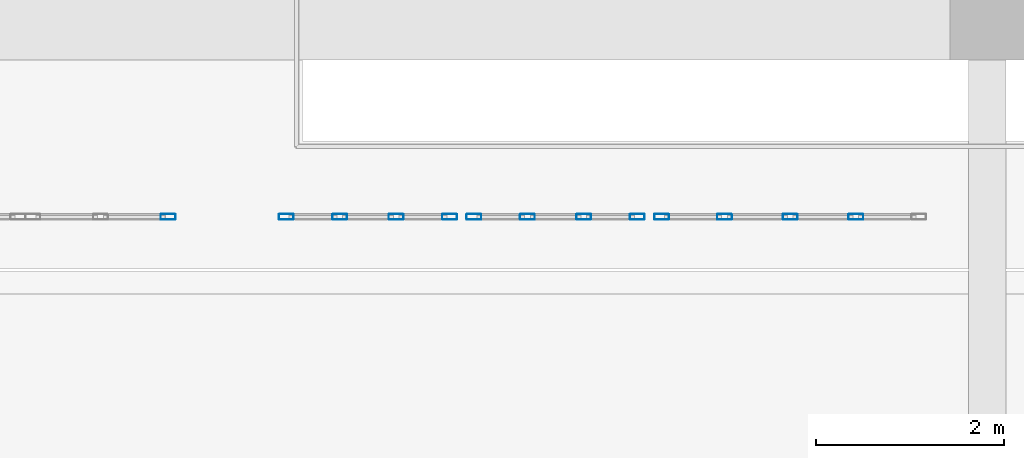
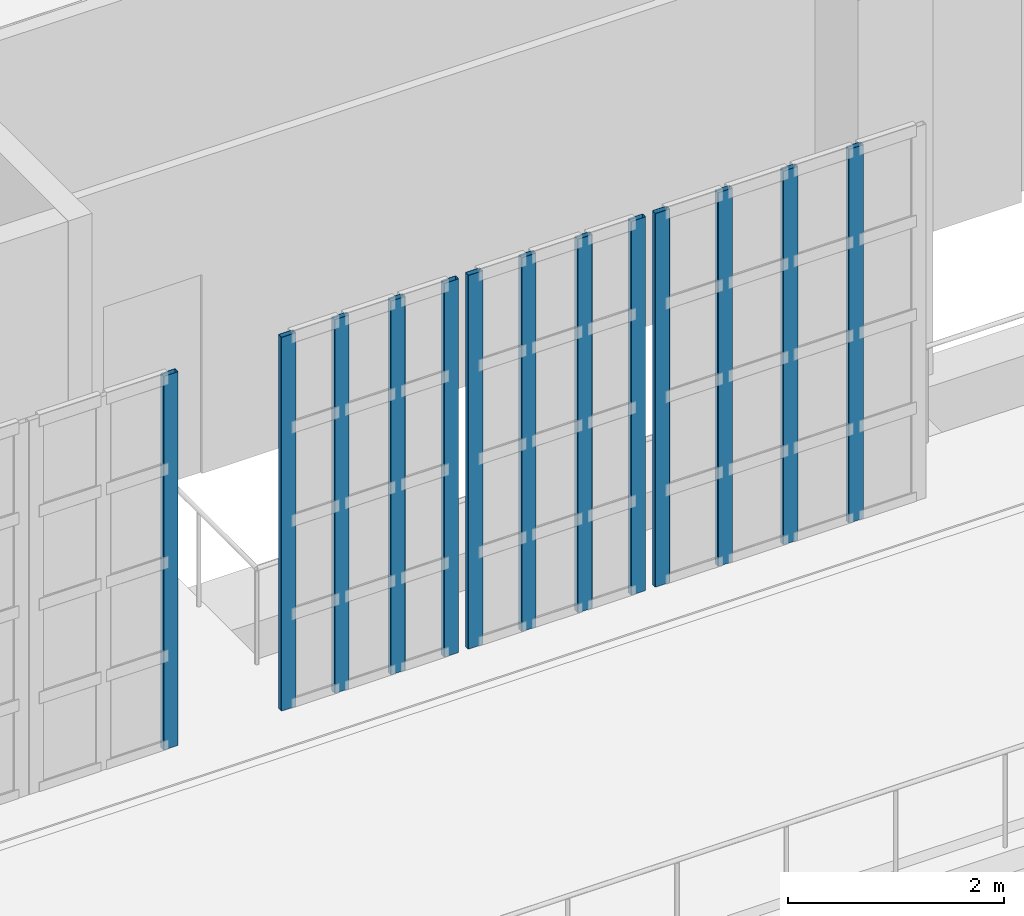
# One storey, part 10 of 56: 13 members, 4 elements without a shape of their own.
"""IFC4 building model written with IfcOpenShell, lengths in metres."""

from ifc_helpers import new_model, si_unit, direction, frame, origin, origin_2d, place, context, subcontext, project, spatial, hollow_rectangle, extrude, material, material_profile, profile_set, type_object, element, aggregate, save


model = new_model("IFC4")

# Units and contexts
model_context = context("Model", 3, precision=1e-05, world=origin(), true_north=direction((0.0, 1.0)))
body_context = subcontext(model_context, "Body", "Model", "MODEL_VIEW")
ifc_project = project(units=[si_unit("LENGTHUNIT", "METRE"), si_unit("AREAUNIT", "SQUARE_METRE"), si_unit("VOLUMEUNIT", "CUBIC_METRE"), si_unit("PLANEANGLEUNIT", "RADIAN"), si_unit("MASSUNIT", "GRAM", prefix="KILO")], contexts=[model_context])

# Site, building, storey
site_placement = place(None, origin())
site = spatial("IfcSite", under=ifc_project, at=site_placement, CompositionType="ELEMENT")
building_placement = place(site_placement, origin())
building = spatial("IfcBuilding", under=site, at=building_placement, Name="Kaelora Sail Theatre", CompositionType="ELEMENT")
storey_placement = place(building_placement, frame((0.0, 0.0, 14.699951171875)))
storey = spatial("IfcBuildingStorey", under=building, at=storey_placement, Name="L03", CompositionType="ELEMENT", Elevation=14.699951171875)

# Curtain wall, member
ifc_material_1 = material(Name="Anodised aluminium and solar-control low-E IGU", Category="aluminium")
curtain_wall_type = type_object("IfcCurtainWallType", Name="ARC-CW-CW-BRG", PredefinedType="NOTDEFINED", material=ifc_material_1)
curtain_wall_1_placement = place(storey_placement, origin())
curtain_wall_1 = element("IfcCurtainWall", 1, at=curtain_wall_1_placement, inside=storey, type_object=curtain_wall_type, Name="Glazed Foyer/Conservatory Curtain Wall FC1-S-L03-06", PredefinedType="NOTDEFINED")
ifc_material_2 = material(Name="Anodised aluminium 6063-T6", Category="aluminium")
ifc_material_profile = material_profile(ifc_material_2, hollow_rectangle(XDim=0.06005859375, YDim=0.159912109375, WallThickness=0.00390625, InnerFilletRadius=0.00390625, OuterFilletRadius=0.008056640625, at=origin_2d()), Name="ALU-MULL 60x160x4")
ifc_profile_set = profile_set([ifc_material_profile], Name="Anodised aluminium 6063-T6")
member_type = type_object("IfcMemberType", Name="ARC-MEM-ML-160", PredefinedType="MULLION", material=ifc_profile_set)
member_1_placement = place(storey_placement, frame((73.77001953125, 66.389892578125, 0.0), z_axis=(0.0, 0.0, 1.0), x_axis=(0.0, 1.0, 0.0)))
member_1 = element("IfcMember", 2, at=member_1_placement, type_object=member_type, Name="CW-BRG mullion 3", PredefinedType="MULLION", context=body_context, shape_type="SweptSolid", body=[
    extrude(hollow_rectangle(XDim=0.06005859375, YDim=0.159912109375, WallThickness=0.00390625, InnerFilletRadius=0.00390625, OuterFilletRadius=0.008056640625, at=origin_2d()), origin(), (0.0, 0.0, 1.0), 4.22509765625),
])
aggregate(curtain_wall_1, [member_1])

# Curtain wall, members
curtain_wall_2_placement = place(storey_placement, origin())
curtain_wall_2 = element("IfcCurtainWall", 3, at=curtain_wall_2_placement, inside=storey, type_object=curtain_wall_type, Name="Glazed Foyer/Conservatory Curtain Wall FC1-S-L03-07", PredefinedType="NOTDEFINED")
member_2_placement = place(storey_placement, frame((75.030029296875, 66.389892578125, 0.0), z_axis=(0.0, 0.0, 1.0), x_axis=(0.0, 1.0, 0.0)))
member_2 = element("IfcMember", 4, at=member_2_placement, type_object=member_type, Name="CW-BRG mullion 1", PredefinedType="MULLION", context=body_context, shape_type="SweptSolid", body=[
    extrude(hollow_rectangle(XDim=0.06005859375, YDim=0.159912109375, WallThickness=0.00390625, InnerFilletRadius=0.00390625, OuterFilletRadius=0.008056640625, at=origin_2d()), origin(), (0.0, 0.0, 1.0), 4.22509765625),
])
member_3_placement = place(storey_placement, frame((75.60009765625, 66.389892578125, 0.0), z_axis=(0.0, 0.0, 1.0), x_axis=(0.0, 1.0, 0.0)))
member_3 = element("IfcMember", 5, at=member_3_placement, type_object=member_type, Name="CW-BRG mullion 2", PredefinedType="MULLION", context=body_context, shape_type="SweptSolid", body=[
    extrude(hollow_rectangle(XDim=0.06005859375, YDim=0.159912109375, WallThickness=0.00390625, InnerFilletRadius=0.00390625, OuterFilletRadius=0.008056640625, at=origin_2d()), origin(), (0.0, 0.0, 1.0), 4.22509765625),
])
member_4_placement = place(storey_placement, frame((76.199951171875, 66.389892578125, 0.0), z_axis=(0.0, 0.0, 1.0), x_axis=(0.0, 1.0, 0.0)))
member_4 = element("IfcMember", 6, at=member_4_placement, type_object=member_type, Name="CW-BRG mullion 3", PredefinedType="MULLION", context=body_context, shape_type="SweptSolid", body=[
    extrude(hollow_rectangle(XDim=0.06005859375, YDim=0.159912109375, WallThickness=0.00390625, InnerFilletRadius=0.00390625, OuterFilletRadius=0.008056640625, at=origin_2d()), origin(), (0.0, 0.0, 1.0), 4.22509765625),
])
member_5_placement = place(storey_placement, frame((76.77001953125, 66.389892578125, 0.0), z_axis=(0.0, 0.0, 1.0), x_axis=(0.0, 1.0, 0.0)))
member_5 = element("IfcMember", 7, at=member_5_placement, type_object=member_type, Name="CW-BRG mullion 4", PredefinedType="MULLION", context=body_context, shape_type="SweptSolid", body=[
    extrude(hollow_rectangle(XDim=0.06005859375, YDim=0.159912109375, WallThickness=0.00390625, InnerFilletRadius=0.00390625, OuterFilletRadius=0.008056640625, at=origin_2d()), origin(), (0.0, 0.0, 1.0), 4.22509765625),
])
aggregate(curtain_wall_2, [member_2, member_3, member_4, member_5])

curtain_wall_3_placement = place(storey_placement, origin())
curtain_wall_3 = element("IfcCurtainWall", 8, at=curtain_wall_3_placement, inside=storey, type_object=curtain_wall_type, Name="Glazed Foyer/Conservatory Curtain Wall FC1-S-L03-08", PredefinedType="NOTDEFINED")
member_6_placement = place(storey_placement, frame((77.030029296875, 66.389892578125, 0.0), z_axis=(0.0, 0.0, 1.0), x_axis=(0.0, 1.0, 0.0)))
member_6 = element("IfcMember", 9, at=member_6_placement, type_object=member_type, Name="CW-BRG mullion 1", PredefinedType="MULLION", context=body_context, shape_type="SweptSolid", body=[
    extrude(hollow_rectangle(XDim=0.06005859375, YDim=0.159912109375, WallThickness=0.00390625, InnerFilletRadius=0.00390625, OuterFilletRadius=0.008056640625, at=origin_2d()), origin(), (0.0, 0.0, 1.0), 4.22509765625),
])
member_7_placement = place(storey_placement, frame((77.60009765625, 66.389892578125, 0.0), z_axis=(0.0, 0.0, 1.0), x_axis=(0.0, 1.0, 0.0)))
member_7 = element("IfcMember", 10, at=member_7_placement, type_object=member_type, Name="CW-BRG mullion 2", PredefinedType="MULLION", context=body_context, shape_type="SweptSolid", body=[
    extrude(hollow_rectangle(XDim=0.06005859375, YDim=0.159912109375, WallThickness=0.00390625, InnerFilletRadius=0.00390625, OuterFilletRadius=0.008056640625, at=origin_2d()), origin(), (0.0, 0.0, 1.0), 4.22509765625),
])
member_8_placement = place(storey_placement, frame((78.199951171875, 66.389892578125, 0.0), z_axis=(0.0, 0.0, 1.0), x_axis=(0.0, 1.0, 0.0)))
member_8 = element("IfcMember", 11, at=member_8_placement, type_object=member_type, Name="CW-BRG mullion 3", PredefinedType="MULLION", context=body_context, shape_type="SweptSolid", body=[
    extrude(hollow_rectangle(XDim=0.06005859375, YDim=0.159912109375, WallThickness=0.00390625, InnerFilletRadius=0.00390625, OuterFilletRadius=0.008056640625, at=origin_2d()), origin(), (0.0, 0.0, 1.0), 4.22509765625),
])
member_9_placement = place(storey_placement, frame((78.77001953125, 66.389892578125, 0.0), z_axis=(0.0, 0.0, 1.0), x_axis=(0.0, 1.0, 0.0)))
member_9 = element("IfcMember", 12, at=member_9_placement, type_object=member_type, Name="CW-BRG mullion 4", PredefinedType="MULLION", context=body_context, shape_type="SweptSolid", body=[
    extrude(hollow_rectangle(XDim=0.06005859375, YDim=0.159912109375, WallThickness=0.00390625, InnerFilletRadius=0.00390625, OuterFilletRadius=0.008056640625, at=origin_2d()), origin(), (0.0, 0.0, 1.0), 4.22509765625),
])
aggregate(curtain_wall_3, [member_6, member_7, member_8, member_9])

curtain_wall_4_placement = place(storey_placement, origin())
curtain_wall_4 = element("IfcCurtainWall", 13, at=curtain_wall_4_placement, inside=storey, type_object=curtain_wall_type, Name="Glazed Foyer/Conservatory Curtain Wall FC1-S-L03-09", PredefinedType="NOTDEFINED")
member_10_placement = place(storey_placement, frame((79.030029296875, 66.389892578125, 0.0), z_axis=(0.0, 0.0, 1.0), x_axis=(0.0, 1.0, 0.0)))
member_10 = element("IfcMember", 14, at=member_10_placement, type_object=member_type, Name="CW-BRG mullion 1", PredefinedType="MULLION", context=body_context, shape_type="SweptSolid", body=[
    extrude(hollow_rectangle(XDim=0.06005859375, YDim=0.159912109375, WallThickness=0.00390625, InnerFilletRadius=0.00390625, OuterFilletRadius=0.008056640625, at=origin_2d()), origin(), (0.0, 0.0, 1.0), 4.22509765625),
])
member_11_placement = place(storey_placement, frame((79.699951171875, 66.389892578125, 0.0), z_axis=(0.0, 0.0, 1.0), x_axis=(0.0, 1.0, 0.0)))
member_11 = element("IfcMember", 15, at=member_11_placement, type_object=member_type, Name="CW-BRG mullion 2", PredefinedType="MULLION", context=body_context, shape_type="SweptSolid", body=[
    extrude(hollow_rectangle(XDim=0.06005859375, YDim=0.159912109375, WallThickness=0.00390625, InnerFilletRadius=0.00390625, OuterFilletRadius=0.008056640625, at=origin_2d()), origin(), (0.0, 0.0, 1.0), 4.22509765625),
])
member_12_placement = place(storey_placement, frame((80.39990234375, 66.389892578125, 0.0), z_axis=(0.0, 0.0, 1.0), x_axis=(0.0, 1.0, 0.0)))
member_12 = element("IfcMember", 16, at=member_12_placement, type_object=member_type, Name="CW-BRG mullion 3", PredefinedType="MULLION", context=body_context, shape_type="SweptSolid", body=[
    extrude(hollow_rectangle(XDim=0.06005859375, YDim=0.159912109375, WallThickness=0.00390625, InnerFilletRadius=0.00390625, OuterFilletRadius=0.008056640625, at=origin_2d()), origin(), (0.0, 0.0, 1.0), 4.22509765625),
])
member_13_placement = place(storey_placement, frame((81.10009765625, 66.389892578125, 0.0), z_axis=(0.0, 0.0, 1.0), x_axis=(0.0, 1.0, 0.0)))
member_13 = element("IfcMember", 17, at=member_13_placement, type_object=member_type, Name="CW-BRG mullion 4", PredefinedType="MULLION", context=body_context, shape_type="SweptSolid", body=[
    extrude(hollow_rectangle(XDim=0.06005859375, YDim=0.159912109375, WallThickness=0.00390625, InnerFilletRadius=0.00390625, OuterFilletRadius=0.008056640625, at=origin_2d()), origin(), (0.0, 0.0, 1.0), 4.22509765625),
])
aggregate(curtain_wall_4, [member_10, member_11, member_12, member_13])

save(model, "model.ifc")
